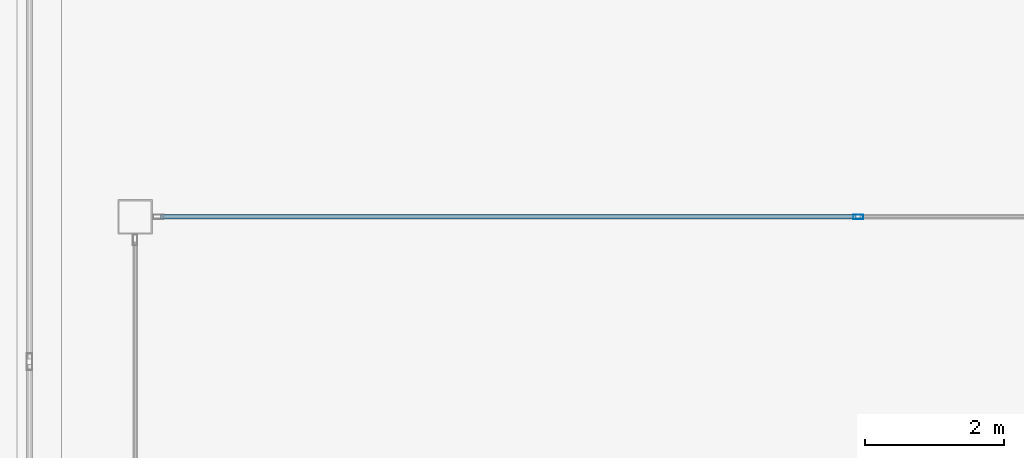
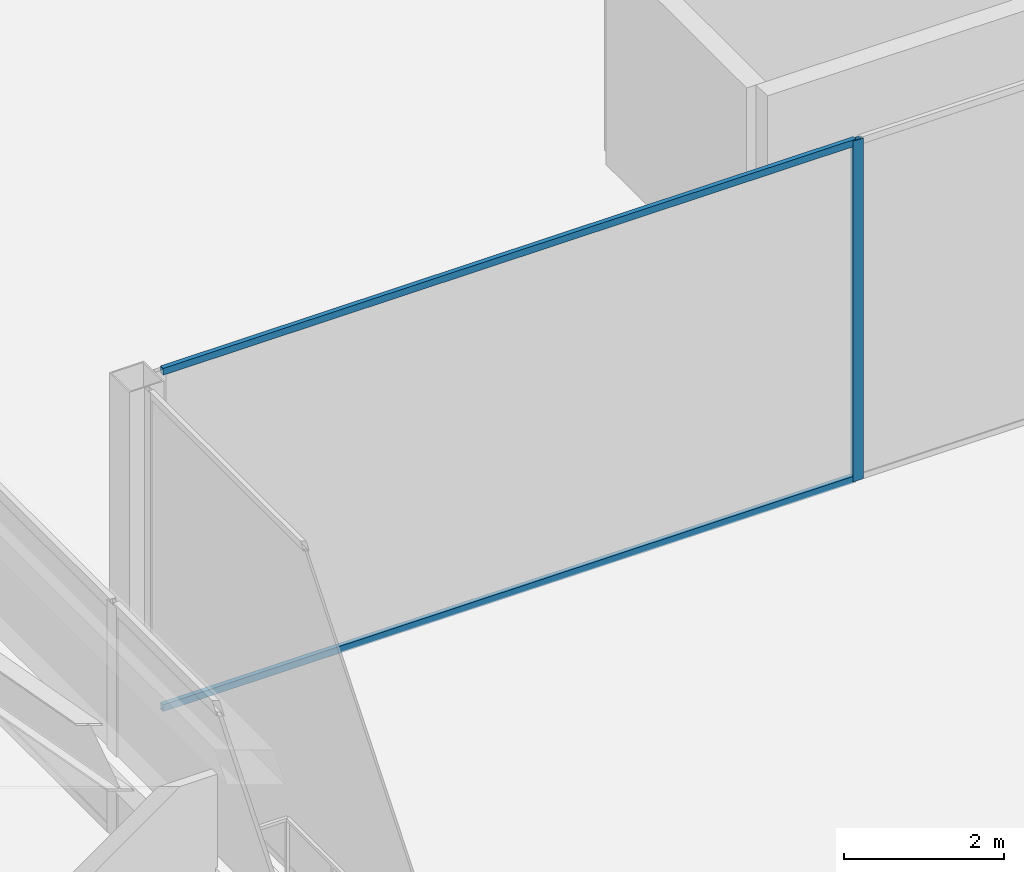
# One storey, part 44 of 83: 3 members, 1 element without a shape of its own.
"""IFC4 building model written with IfcOpenShell, lengths in metres."""

from ifc_helpers import new_model, si_unit, direction, frame, origin, origin_2d, place, context, subcontext, project, spatial, hollow_rectangle, extrude, material, material_profile, profile_set, type_object, element, aggregate, save


model = new_model("IFC4")

# Units and contexts
model_context = context("Model", 3, precision=1e-05, world=origin(), true_north=direction((0.0, 1.0)))
body_context = subcontext(model_context, "Body", "Model", "MODEL_VIEW")
ifc_project = project(units=[si_unit("LENGTHUNIT", "METRE"), si_unit("AREAUNIT", "SQUARE_METRE"), si_unit("VOLUMEUNIT", "CUBIC_METRE"), si_unit("PLANEANGLEUNIT", "RADIAN"), si_unit("MASSUNIT", "GRAM", prefix="KILO")], contexts=[model_context])

# Site, building, storey
site_placement = place(None, origin())
site = spatial("IfcSite", under=ifc_project, at=site_placement, CompositionType="ELEMENT")
building_placement = place(site_placement, origin())
building = spatial("IfcBuilding", under=site, at=building_placement, Name="Tashvorn Skyway Center", CompositionType="ELEMENT")
storey_placement = place(building_placement, frame((0.0, 0.0, 24.60009765625)))
storey = spatial("IfcBuildingStorey", under=building, at=storey_placement, Name="L05", CompositionType="ELEMENT", Elevation=24.60009765625)

# Curtain wall, members
ifc_material = material(Name="Thermally broken bronze-anodized aluminium 6063-T6", Category="aluminium")
curtain_wall_type = type_object("IfcCurtainWallType", Name="CW-CW-SKY", PredefinedType="NOTDEFINED", material=ifc_material)
curtain_wall_placement = place(storey_placement, origin())
curtain_wall = element("IfcCurtainWall", 1, at=curtain_wall_placement, inside=storey, type_object=curtain_wall_type, Name="Station Concourse Monitor North Clerestory Curtain Wall", PredefinedType="NOTDEFINED")
ifc_material_profile_1 = material_profile(ifc_material, hollow_rectangle(XDim=0.06494140625, YDim=0.14990234375, WallThickness=0.00390625, at=origin_2d()), Name="ALU-MULL-65x150")
ifc_profile_set_1 = profile_set([ifc_material_profile_1], Name="Thermally broken bronze-anodized aluminium 6063-T6")
member_type_1 = type_object("IfcMemberType", Name="CWM-CW-SKY", PredefinedType="MULLION", material=ifc_profile_set_1)
member_1_placement = place(storey_placement, frame((76.800048828125, 46.199951171875, 0.0), z_axis=(0.0, 0.0, 1.0), x_axis=(0.0, 1.0, 0.0)))
member_1 = element("IfcMember", 2, at=member_1_placement, type_object=member_type_1, Name="CW-SKY mullion 2", PredefinedType="MULLION", context=body_context, shape_type="SweptSolid", body=[
    extrude(hollow_rectangle(XDim=0.06494140625, YDim=0.14990234375, WallThickness=0.00390625, at=origin_2d()), origin(), (0.0, 0.0, 1.0), 5.199951171875),
])
ifc_material_profile_2 = material_profile(ifc_material, hollow_rectangle(XDim=0.06494140625, YDim=0.10498046875, WallThickness=0.00390625, at=origin_2d()), Name="ALU-TRAN-65x105")
ifc_profile_set_2 = profile_set([ifc_material_profile_2], Name="Thermally broken bronze-anodized aluminium 6063-T6")
member_type_2 = type_object("IfcMemberType", Name="CWT-CW-SKY", PredefinedType="USERDEFINED", material=ifc_profile_set_2)
member_2_placement = place(storey_placement, frame((66.764892578125, 46.199951171875, 0.032470703125), z_axis=(1.0, 0.0, 0.0), x_axis=(0.0, 1.0, 0.0)))
member_2 = element("IfcMember", 3, at=member_2_placement, type_object=member_type_2, Name="CW-SKY transom 1.1", ObjectType="TRANSOM", PredefinedType="USERDEFINED", context=body_context, shape_type="SweptSolid", body=[
    extrude(hollow_rectangle(XDim=0.06494140625, YDim=0.10498046875, WallThickness=0.00390625, at=origin_2d()), origin(), (0.0, 0.0, 1.0), 10.002685546875),
])
member_3_placement = place(storey_placement, frame((66.764892578125, 46.199951171875, 5.16748046875), z_axis=(1.0, 0.0, 0.0), x_axis=(0.0, 1.0, 0.0)))
member_3 = element("IfcMember", 4, at=member_3_placement, type_object=member_type_2, Name="CW-SKY transom 1.2", ObjectType="TRANSOM", PredefinedType="USERDEFINED", context=body_context, shape_type="SweptSolid", body=[
    extrude(hollow_rectangle(XDim=0.06494140625, YDim=0.10498046875, WallThickness=0.00390625, at=origin_2d()), origin(), (0.0, 0.0, 1.0), 10.002685546875),
])
aggregate(curtain_wall, [member_1, member_2, member_3])

save(model, "model.ifc")
